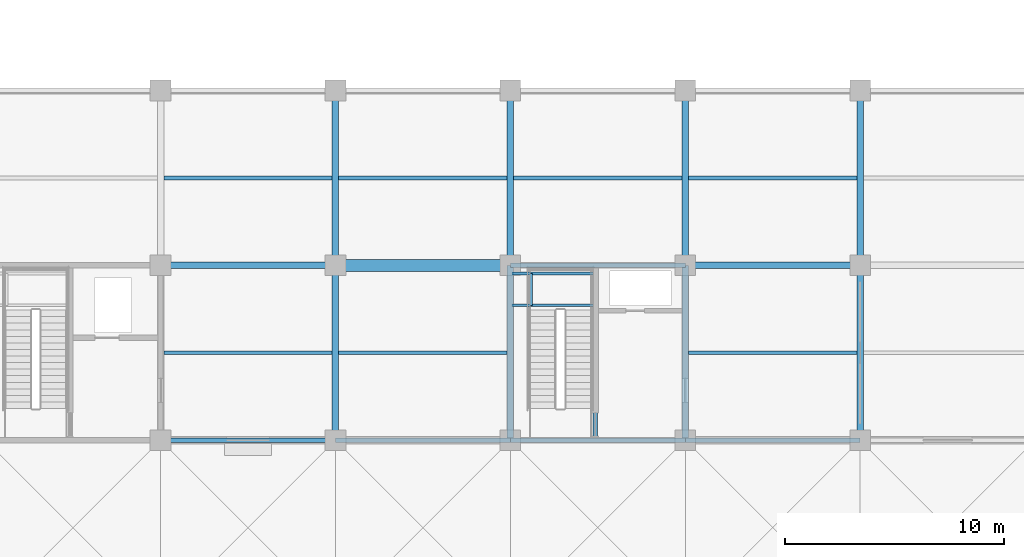
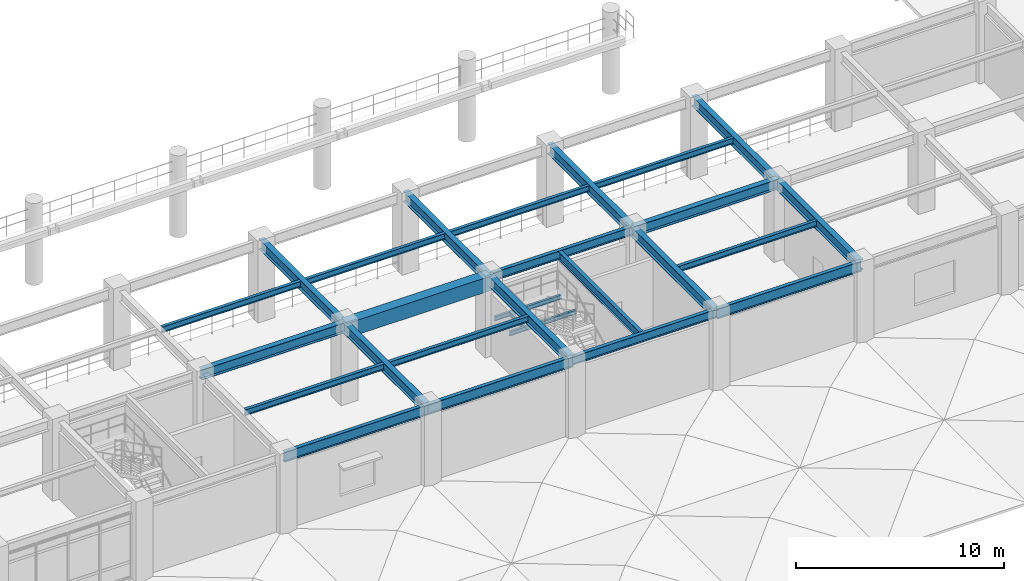
# One storey, part 12 of 109: 27 beams.
"""IFC4 building model written with IfcOpenShell, lengths in metres."""

from ifc_helpers import new_model, si_unit, direction, frame, origin, origin_2d, place, context, subcontext, project, spatial, rectangle, i_section, extrude, material, material_profile, profile_set, type_object, element, save


model = new_model("IFC4")

# Units and contexts
model_context = context("Model", 3, precision=1e-05, world=origin(), true_north=direction((0.0, 1.0)))
body_context = subcontext(model_context, "Body", "Model", "MODEL_VIEW")
ifc_project = project(units=[si_unit("LENGTHUNIT", "METRE"), si_unit("AREAUNIT", "SQUARE_METRE"), si_unit("VOLUMEUNIT", "CUBIC_METRE"), si_unit("PLANEANGLEUNIT", "RADIAN"), si_unit("MASSUNIT", "GRAM", prefix="KILO")], contexts=[model_context])

# Site, building, storey
site_placement = place(None, origin())
site = spatial("IfcSite", under=ifc_project, at=site_placement, CompositionType="ELEMENT")
building_placement = place(site_placement, origin())
building = spatial("IfcBuilding", under=site, at=building_placement, Name="Haebicheon Civic Stadium", CompositionType="ELEMENT")
storey_placement = place(building_placement, frame((0.0, 0.0, 9.60009765625)))
storey = spatial("IfcBuildingStorey", under=building, at=storey_placement, Name="L03", CompositionType="ELEMENT", Elevation=9.60009765625)

# Beams
ifc_material_1 = material(Name="Concrete C40/50", Category="concrete")
ifc_material_profile_1 = material_profile(ifc_material_1, rectangle(XDim=0.550048828125, YDim=0.85009765625, at=origin_2d()), Name="RC-BM-550x850")
ifc_profile_set_1 = profile_set([ifc_material_profile_1], Name="Concrete C40/50")
beam_type_1 = type_object("IfcBeamType", Name="BM-RC-550x850", PredefinedType="BEAM", material=ifc_profile_set_1)
beam_1_placement = place(storey_placement, frame((104.0, 24.0, 4.114990234375), z_axis=(1.0, 0.0, 0.0), x_axis=(0.0, 1.0, 0.0)))
element("IfcBeam", 1, at=beam_1_placement, inside=storey, type_object=beam_type_1, material=ifc_profile_set_1, Name="L03 beam D/14-15", PredefinedType="BEAM", context=body_context, shape_type="SweptSolid", body=[
    extrude(rectangle(XDim=0.550048828125, YDim=0.85009765625, at=origin_2d()), origin(), (0.0, 0.0, 1.0), 8.0),
])
ifc_material_2 = material(Name="Steel SM355 (S355)", Category="steel")
ifc_material_profile_2 = material_profile(ifc_material_2, i_section(OverallWidth=0.199951171875, OverallDepth=0.5, WebThickness=0.010009765625, FlangeThickness=0.01611328125, at=origin_2d()), Name="H-500x200x10x16")
ifc_profile_set_2 = profile_set([ifc_material_profile_2], Name="Steel SM355 (S355)")
beam_type_2 = type_object("IfcBeamType", Name="BM-ST-H500", PredefinedType="BEAM", material=ifc_profile_set_2)
for number, where, z_axis, x_axis, name in (
    (2, (112.0, 16.0, 4.289794921875), (1.0, 0.0, 0.0), (0.0, 1.0, 0.0), "L03 beam C/15-16"),
    (3, (112.0, 24.0, 4.289794921875), (1.0, 0.0, 0.0), (0.0, 1.0, 0.0), "L03 beam D/15-16"),
):
    element("IfcBeam", number, at=place(storey_placement, frame(where, z_axis=z_axis, x_axis=x_axis)), inside=storey, type_object=beam_type_2, material=ifc_profile_set_2, Name=name, PredefinedType="BEAM", context=body_context, shape_type="SweptSolid", body=[
        extrude(i_section(OverallWidth=0.199951171875, OverallDepth=0.5, WebThickness=0.010009765625, FlangeThickness=0.01611328125, at=origin_2d()), origin(), (0.0, 0.0, 1.0), 8.0),
    ])
beam_2_placement = place(storey_placement, frame((115.8798828125, 16.10009765625, 4.289794921875), z_axis=(0.0, 1.0, 0.0), x_axis=(-1.0, 0.0, 0.0)))
element("IfcBeam", 4, at=beam_2_placement, inside=storey, type_object=beam_type_2, material=ifc_profile_set_2, Name="L03 KC-07 core dividing wall support beam", PredefinedType="BEAM", context=body_context, shape_type="SweptSolid", body=[
    extrude(i_section(OverallWidth=0.199951171875, OverallDepth=0.5, WebThickness=0.010009765625, FlangeThickness=0.01611328125, at=origin_2d()), origin(), (0.0, 0.0, 1.0), 7.7998046875),
])
ifc_material_3 = material(Name="Steel SM355 (S355)", Category="steel")
ifc_material_profile_3 = material_profile(ifc_material_3, i_section(OverallWidth=0.300048828125, OverallDepth=0.60009765625, WebThickness=0.011962890625, FlangeThickness=0.02001953125, at=origin_2d()), Name="H-600x300x12x20")
ifc_profile_set_3 = profile_set([ifc_material_profile_3], Name="Steel SM355 (S355)")
beam_type_3 = type_object("IfcBeamType", Name="BM-ST-H600A", PredefinedType="BEAM", material=ifc_profile_set_3)
for number, where, z_axis, x_axis, name in (
    (5, (104.0, 16.0, 4.239990234375), (0.0, 1.0, 0.0), (-1.0, 0.0, 0.0), "L03 girder 14/C-D"),
    (6, (104.0, 24.0, 4.239990234375), (0.0, 1.0, 0.0), (-1.0, 0.0, 0.0), "L03 girder 14/D-E"),
    (7, (112.0, 16.0, 4.239990234375), (0.0, 1.0, 0.0), (-1.0, 0.0, 0.0), "L03 girder 15/C-D"),
    (8, (112.0, 24.0, 4.239990234375), (0.0, 1.0, 0.0), (-1.0, 0.0, 0.0), "L03 girder 15/D-E"),
    (9, (120.0, 16.0, 4.239990234375), (0.0, 1.0, 0.0), (-1.0, 0.0, 0.0), "L03 girder 16/C-D"),
    (10, (120.0, 24.0, 4.239990234375), (0.0, 1.0, 0.0), (-1.0, 0.0, 0.0), "L03 girder 16/D-E"),
    (11, (128.0, 16.0, 4.239990234375), (0.0, 1.0, 0.0), (-1.0, 0.0, 0.0), "L03 girder 17/C-D"),
    (12, (128.0, 24.0, 4.239990234375), (0.0, 1.0, 0.0), (-1.0, 0.0, 0.0), "L03 girder 17/D-E"),
    (13, (96.0, 24.0, 4.239990234375), (1.0, 0.0, 0.0), (0.0, 1.0, 0.0), "L03 beam D/13-14"),
    (14, (120.0, 24.0, 4.239990234375), (1.0, 0.0, 0.0), (0.0, 1.0, 0.0), "L03 beam D/16-17"),
):
    element("IfcBeam", number, at=place(storey_placement, frame(where, z_axis=z_axis, x_axis=x_axis)), inside=storey, type_object=beam_type_3, material=ifc_profile_set_3, Name=name, PredefinedType="BEAM", context=body_context, shape_type="SweptSolid", body=[
        extrude(i_section(OverallWidth=0.300048828125, OverallDepth=0.60009765625, WebThickness=0.011962890625, FlangeThickness=0.02001953125, at=origin_2d()), origin(), (0.0, 0.0, 1.0), 8.0),
    ])
ifc_material_4 = material(Name="Steel SM355 (S355)", Category="steel")
ifc_material_profile_4 = material_profile(ifc_material_4, i_section(OverallWidth=0.125, OverallDepth=0.25, WebThickness=0.006103515625, FlangeThickness=0.009033203125, at=origin_2d()), Name="H-250x125x6x9")
ifc_profile_set_4 = profile_set([ifc_material_profile_4], Name="Steel SM355 (S355)")
beam_type_4 = type_object("IfcBeamType", Name="JST-ST-H250", PredefinedType="JOIST", material=ifc_profile_set_4)
for number, where, z_axis, x_axis, name in (
    (15, (112.080078125, 22.169921875, 2.072021484375), (1.0, 0.0, 0.0), (0.0, 1.0, 0.0), "KC-07 L03 stair half-landing front trimmer beam"),
    (16, (112.080078125, 23.6201171875, 2.072021484375), (1.0, 0.0, 0.0), (0.0, 1.0, 0.0), "KC-07 L03 stair half-landing rear trimmer beam"),
):
    element("IfcBeam", number, at=place(storey_placement, frame(where, z_axis=z_axis, x_axis=x_axis)), inside=storey, type_object=beam_type_4, material=ifc_profile_set_4, Name=name, PredefinedType="JOIST", context=body_context, shape_type="SweptSolid", body=[
        extrude(i_section(OverallWidth=0.125, OverallDepth=0.25, WebThickness=0.006103515625, FlangeThickness=0.009033203125, at=origin_2d()), origin(), (0.0, 0.0, 1.0), 3.719970703125),
    ])
beam_3_placement = place(storey_placement, frame((112.9599609375, 22.169921875, 2.072021484375), z_axis=(0.0, 1.0, 0.0), x_axis=(-1.0, 0.0, 0.0)))
element("IfcBeam", 17, at=beam_3_placement, inside=storey, type_object=beam_type_4, material=ifc_profile_set_4, Name="KC-07 L03 stair half-landing transverse tie beam", PredefinedType="JOIST", context=body_context, shape_type="SweptSolid", body=[
    extrude(i_section(OverallWidth=0.125, OverallDepth=0.25, WebThickness=0.006103515625, FlangeThickness=0.009033203125, at=origin_2d()), origin(), (0.0, 0.0, 1.0), 1.4501953125),
])
ifc_material_5 = material(Name="Steel SM355 (S355)", Category="steel")
ifc_material_profile_5 = material_profile(ifc_material_5, i_section(OverallWidth=0.175048828125, OverallDepth=0.35009765625, WebThickness=0.007080078125, FlangeThickness=0.010986328125, at=origin_2d()), Name="H-350x175x7x11")
ifc_profile_set_5 = profile_set([ifc_material_profile_5], Name="Steel SM355 (S355)")
beam_type_5 = type_object("IfcBeamType", Name="JST-ST-H350", PredefinedType="JOIST", material=ifc_profile_set_5)
for number, where, z_axis, x_axis, name in (
    (18, (96.14990234375, 20.0, 4.364990234375), (1.0, 0.0, 0.0), (0.0, 1.0, 0.0), "L03 secondary joist 12-02"),
    (19, (96.14990234375, 28.0, 4.364990234375), (1.0, 0.0, 0.0), (0.0, 1.0, 0.0), "L03 secondary joist 12-03"),
    (20, (104.14990234375, 20.0, 4.364990234375), (1.0, 0.0, 0.0), (0.0, 1.0, 0.0), "L03 secondary joist 13-02"),
    (21, (104.14990234375, 28.0, 4.364990234375), (1.0, 0.0, 0.0), (0.0, 1.0, 0.0), "L03 secondary joist 13-03"),
    (22, (112.14990234375, 28.0, 4.364990234375), (1.0, 0.0, 0.0), (0.0, 1.0, 0.0), "L03 secondary joist 14-03"),
    (23, (120.14990234375, 20.0, 4.364990234375), (1.0, 0.0, 0.0), (0.0, 1.0, 0.0), "L03 secondary joist 15-02"),
    (24, (120.14990234375, 28.0, 4.364990234375), (1.0, 0.0, 0.0), (0.0, 1.0, 0.0), "L03 secondary joist 15-03"),
):
    element("IfcBeam", number, at=place(storey_placement, frame(where, z_axis=z_axis, x_axis=x_axis)), inside=storey, type_object=beam_type_5, material=ifc_profile_set_5, Name=name, PredefinedType="JOIST", context=body_context, shape_type="SweptSolid", body=[
        extrude(i_section(OverallWidth=0.175048828125, OverallDepth=0.35009765625, WebThickness=0.007080078125, FlangeThickness=0.010986328125, at=origin_2d()), origin(), (0.0, 0.0, 1.0), 7.7001953125),
    ])
ifc_material_6 = material(Name="Steel SM355 (S355)", Category="steel")
ifc_material_profile_6 = material_profile(ifc_material_6, i_section(OverallWidth=0.199951171875, OverallDepth=0.60009765625, WebThickness=0.010986328125, FlangeThickness=0.01708984375, at=origin_2d()), Name="H-600x200x11x17")
ifc_profile_set_6 = profile_set([ifc_material_profile_6], Name="Steel SM355 (S355)")
beam_type_6 = type_object("IfcBeamType", Name="SPD-ST-H600B", PredefinedType="SPANDREL", material=ifc_profile_set_6)
for number, where, z_axis, x_axis, name in (
    (25, (96.0, 16.0, 4.239990234375), (1.0, 0.0, 0.0), (0.0, 1.0, 0.0), "L03 beam C/13-14"),
    (26, (104.0, 16.0, 4.239990234375), (1.0, 0.0, 0.0), (0.0, 1.0, 0.0), "L03 beam C/14-15"),
    (27, (120.0, 16.0, 4.239990234375), (1.0, 0.0, 0.0), (0.0, 1.0, 0.0), "L03 beam C/16-17"),
):
    element("IfcBeam", number, at=place(storey_placement, frame(where, z_axis=z_axis, x_axis=x_axis)), inside=storey, type_object=beam_type_6, material=ifc_profile_set_6, Name=name, PredefinedType="SPANDREL", context=body_context, shape_type="SweptSolid", body=[
        extrude(i_section(OverallWidth=0.199951171875, OverallDepth=0.60009765625, WebThickness=0.010986328125, FlangeThickness=0.01708984375, at=origin_2d()), origin(), (0.0, 0.0, 1.0), 8.0),
    ])

save(model, "model.ifc")
